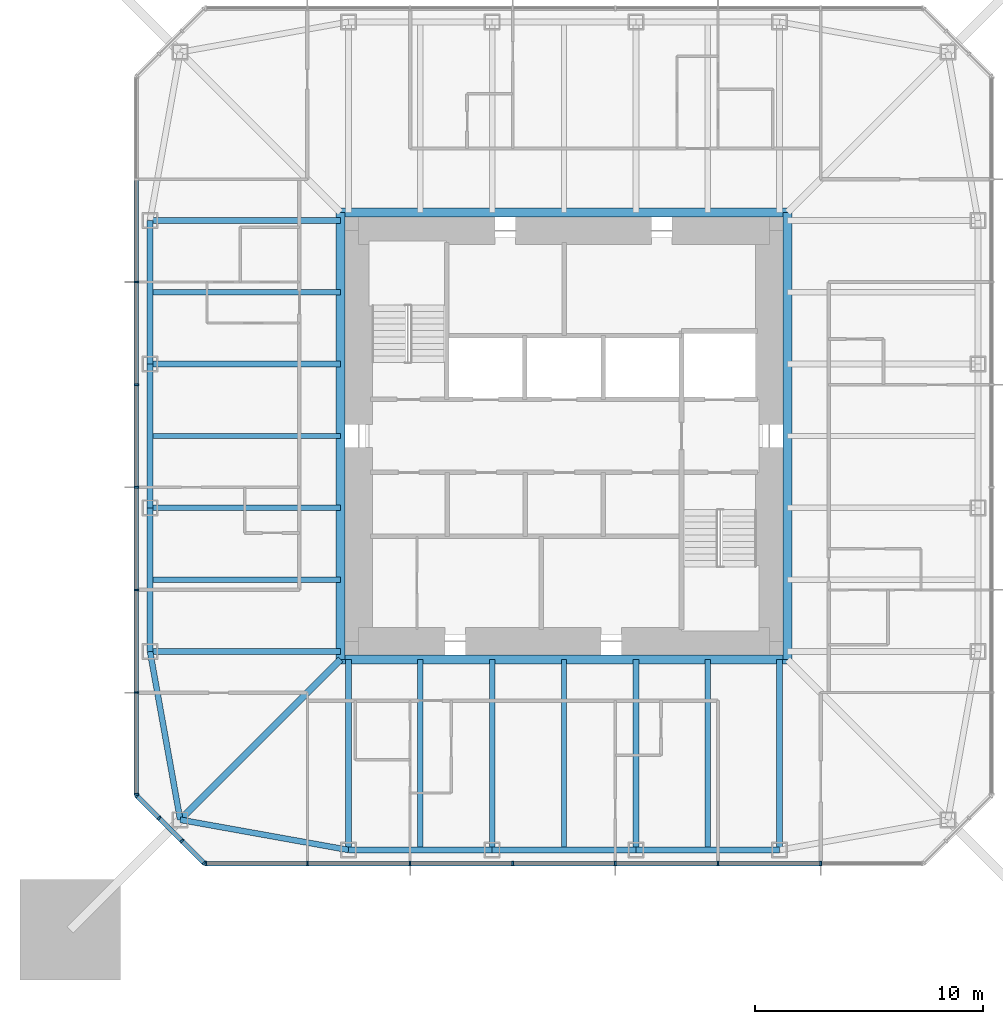
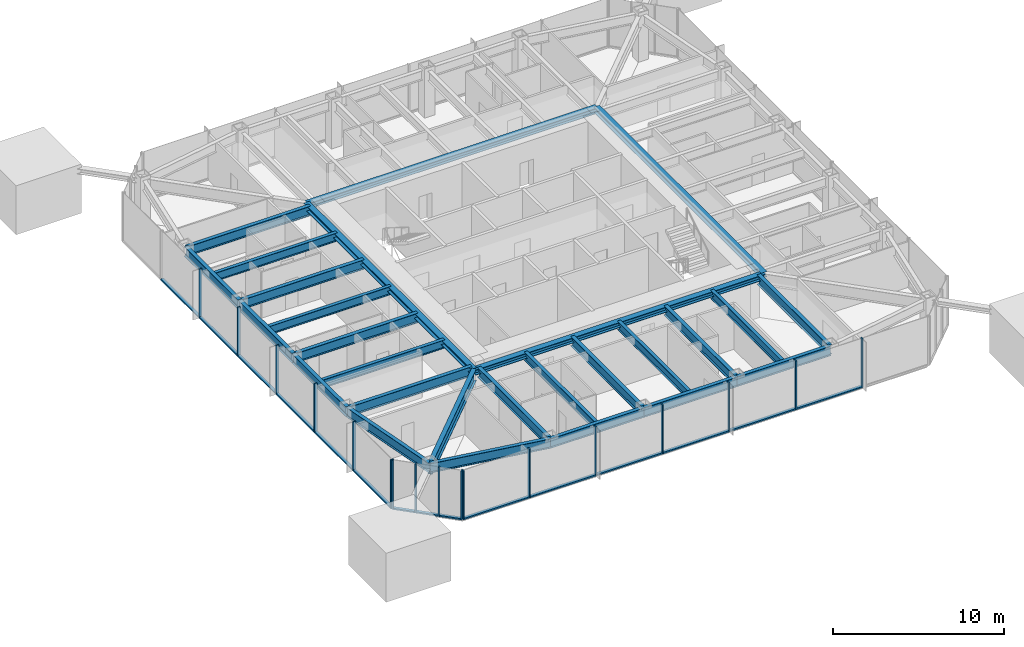
# One storey, part 2 of 11: 32 members, 27 beams, 3 elements without a shape of their own.
"""IFC4 building model written with IfcOpenShell, lengths in metres."""

from ifc_helpers import new_model, si_unit, direction, frame, origin, origin_2d, place, context, subcontext, project, spatial, rectangle, i_section, extrude, material, material_profile, profile_set, type_object, element, aggregate, save


model = new_model("IFC4")

# Units and contexts
model_context = context("Model", 3, precision=1e-05, world=origin(), true_north=direction((0.0, 1.0)))
body_context = subcontext(model_context, "Body", "Model", "MODEL_VIEW")
ifc_project = project(units=[si_unit("LENGTHUNIT", "METRE"), si_unit("AREAUNIT", "SQUARE_METRE"), si_unit("VOLUMEUNIT", "CUBIC_METRE"), si_unit("PLANEANGLEUNIT", "RADIAN"), si_unit("MASSUNIT", "GRAM", prefix="KILO")], contexts=[model_context])

# Site, building, storey
site_placement = place(None, origin())
site = spatial("IfcSite", under=ifc_project, at=site_placement, CompositionType="ELEMENT")
building_placement = place(site_placement, origin())
building = spatial("IfcBuilding", under=site, at=building_placement, Name="Iwan Alto Co-Living Towers", CompositionType="ELEMENT")
storey_placement = place(building_placement, frame((0.0, 0.0, 181.0)))
storey = spatial("IfcBuildingStorey", under=building, at=storey_placement, Name="L49", CompositionType="ELEMENT", Elevation=181.0)

# Curtain wall, members
ifc_material_1 = material(Name="Bronze aluminium unitised frame", Category="aluminium")
curtain_wall_type_1 = type_object("IfcCurtainWallType", Name="CURTAIN WALL CW-A", PredefinedType="NOTDEFINED", material=ifc_material_1)
curtain_wall_1_placement = place(storey_placement, origin())
curtain_wall_1 = element("IfcCurtainWall", 1, at=curtain_wall_1_placement, inside=storey, type_object=curtain_wall_type_1, Name="T1 curtain wall S L49", PredefinedType="NOTDEFINED")
ifc_material_2 = material(Name="Aluminium 6063-T6 bronze anodised", Category="aluminium")
ifc_material_profile_1 = material_profile(ifc_material_2, rectangle(XDim=0.199951171875, YDim=0.080078125, at=origin_2d()), Name="AL 80X200")
ifc_profile_set_1 = profile_set([ifc_material_profile_1], Name="Aluminium 6063-T6 bronze anodised")
member_type_1 = type_object("IfcMemberType", Name="CW-A MULLION 80X200", PredefinedType="MULLION", material=ifc_profile_set_1)
member_1_placement = place(storey_placement, frame((-15.7099609375, -18.75, 0.0), z_axis=(0.0, 0.0, 1.0), x_axis=(0.0, 1.0, 0.0)))
member_1 = element("IfcMember", 2, at=member_1_placement, type_object=member_type_1, Name="CW-A mullion 1", PredefinedType="MULLION", context=body_context, shape_type="SweptSolid", body=[
    extrude(rectangle(XDim=0.199951171875, YDim=0.080078125, at=origin_2d()), origin(), (0.0, 0.0, 1.0), 3.5),
])
member_2_placement = place(storey_placement, frame((-11.25, -18.75, 0.0), z_axis=(0.0, 0.0, 1.0), x_axis=(0.0, 1.0, 0.0)))
member_2 = element("IfcMember", 3, at=member_2_placement, type_object=member_type_1, Name="CW-A mullion 2", PredefinedType="MULLION", context=body_context, shape_type="SweptSolid", body=[
    extrude(rectangle(XDim=0.199951171875, YDim=0.080078125, at=origin_2d()), origin(), (0.0, 0.0, 1.0), 3.5),
])
member_3_placement = place(storey_placement, frame((-6.75, -18.75, 0.0), z_axis=(0.0, 0.0, 1.0), x_axis=(0.0, 1.0, 0.0)))
member_3 = element("IfcMember", 4, at=member_3_placement, type_object=member_type_1, Name="CW-A mullion 3", PredefinedType="MULLION", context=body_context, shape_type="SweptSolid", body=[
    extrude(rectangle(XDim=0.199951171875, YDim=0.080078125, at=origin_2d()), origin(), (0.0, 0.0, 1.0), 3.5),
])
member_4_placement = place(storey_placement, frame((-2.25, -18.75, 0.0), z_axis=(0.0, 0.0, 1.0), x_axis=(0.0, 1.0, 0.0)))
member_4 = element("IfcMember", 5, at=member_4_placement, type_object=member_type_1, Name="CW-A mullion 4", PredefinedType="MULLION", context=body_context, shape_type="SweptSolid", body=[
    extrude(rectangle(XDim=0.199951171875, YDim=0.080078125, at=origin_2d()), origin(), (0.0, 0.0, 1.0), 3.5),
])
member_5_placement = place(storey_placement, frame((2.25, -18.75, 0.0), z_axis=(0.0, 0.0, 1.0), x_axis=(0.0, 1.0, 0.0)))
member_5 = element("IfcMember", 6, at=member_5_placement, type_object=member_type_1, Name="CW-A mullion 5", PredefinedType="MULLION", context=body_context, shape_type="SweptSolid", body=[
    extrude(rectangle(XDim=0.199951171875, YDim=0.080078125, at=origin_2d()), origin(), (0.0, 0.0, 1.0), 3.5),
])
member_6_placement = place(storey_placement, frame((6.75, -18.75, 0.0), z_axis=(0.0, 0.0, 1.0), x_axis=(0.0, 1.0, 0.0)))
member_6 = element("IfcMember", 7, at=member_6_placement, type_object=member_type_1, Name="CW-A mullion 6", PredefinedType="MULLION", context=body_context, shape_type="SweptSolid", body=[
    extrude(rectangle(XDim=0.199951171875, YDim=0.080078125, at=origin_2d()), origin(), (0.0, 0.0, 1.0), 3.5),
])
member_7_placement = place(storey_placement, frame((11.25, -18.75, 0.0), z_axis=(0.0, 0.0, 1.0), x_axis=(0.0, 1.0, 0.0)))
member_7 = element("IfcMember", 8, at=member_7_placement, type_object=member_type_1, Name="CW-A mullion 7", PredefinedType="MULLION", context=body_context, shape_type="SweptSolid", body=[
    extrude(rectangle(XDim=0.199951171875, YDim=0.080078125, at=origin_2d()), origin(), (0.0, 0.0, 1.0), 3.5),
])

curtain_wall_2_placement = place(storey_placement, origin())
curtain_wall_2 = element("IfcCurtainWall", 9, at=curtain_wall_2_placement, inside=storey, type_object=curtain_wall_type_1, Name="T1 curtain wall W L49", PredefinedType="NOTDEFINED")
member_8_placement = place(storey_placement, frame((-18.75, 6.75, 0.0), z_axis=(0.0, 0.0, 1.0), x_axis=(1.0, 0.0, 0.0)))
member_8 = element("IfcMember", 10, at=member_8_placement, type_object=member_type_1, Name="CW-A mullion 3", PredefinedType="MULLION", context=body_context, shape_type="SweptSolid", body=[
    extrude(rectangle(XDim=0.199951171875, YDim=0.080078125, at=origin_2d()), origin(), (0.0, 0.0, 1.0), 3.5),
])
member_9_placement = place(storey_placement, frame((-18.75, 2.25, 0.0), z_axis=(0.0, 0.0, 1.0), x_axis=(1.0, 0.0, 0.0)))
member_9 = element("IfcMember", 11, at=member_9_placement, type_object=member_type_1, Name="CW-A mullion 4", PredefinedType="MULLION", context=body_context, shape_type="SweptSolid", body=[
    extrude(rectangle(XDim=0.199951171875, YDim=0.080078125, at=origin_2d()), origin(), (0.0, 0.0, 1.0), 3.5),
])
member_10_placement = place(storey_placement, frame((-18.75, -2.25, 0.0), z_axis=(0.0, 0.0, 1.0), x_axis=(1.0, 0.0, 0.0)))
member_10 = element("IfcMember", 12, at=member_10_placement, type_object=member_type_1, Name="CW-A mullion 5", PredefinedType="MULLION", context=body_context, shape_type="SweptSolid", body=[
    extrude(rectangle(XDim=0.199951171875, YDim=0.080078125, at=origin_2d()), origin(), (0.0, 0.0, 1.0), 3.5),
])
member_11_placement = place(storey_placement, frame((-18.75, -6.75, 0.0), z_axis=(0.0, 0.0, 1.0), x_axis=(1.0, 0.0, 0.0)))
member_11 = element("IfcMember", 13, at=member_11_placement, type_object=member_type_1, Name="CW-A mullion 6", PredefinedType="MULLION", context=body_context, shape_type="SweptSolid", body=[
    extrude(rectangle(XDim=0.199951171875, YDim=0.080078125, at=origin_2d()), origin(), (0.0, 0.0, 1.0), 3.5),
])
member_12_placement = place(storey_placement, frame((-18.75, -11.25, 0.0), z_axis=(0.0, 0.0, 1.0), x_axis=(1.0, 0.0, 0.0)))
member_12 = element("IfcMember", 14, at=member_12_placement, type_object=member_type_1, Name="CW-A mullion 7", PredefinedType="MULLION", context=body_context, shape_type="SweptSolid", body=[
    extrude(rectangle(XDim=0.199951171875, YDim=0.080078125, at=origin_2d()), origin(), (0.0, 0.0, 1.0), 3.5),
])
member_13_placement = place(storey_placement, frame((-18.75, -15.7099609375, 0.0), z_axis=(0.0, 0.0, 1.0), x_axis=(1.0, 0.0, 0.0)))
member_13 = element("IfcMember", 15, at=member_13_placement, type_object=member_type_1, Name="CW-A mullion 8", PredefinedType="MULLION", context=body_context, shape_type="SweptSolid", body=[
    extrude(rectangle(XDim=0.199951171875, YDim=0.080078125, at=origin_2d()), origin(), (0.0, 0.0, 1.0), 3.5),
])

# Member
ifc_material_3 = material(Name="Aluminium 6063-T6 bronze anodised", Category="aluminium")
ifc_material_profile_2 = material_profile(ifc_material_3, rectangle(XDim=0.199951171875, YDim=0.10009765625, at=origin_2d()), Name="AL 200X100")
ifc_profile_set_2 = profile_set([ifc_material_profile_2], Name="Aluminium 6063-T6 bronze anodised")
member_type_2 = type_object("IfcMemberType", Name="CW-A TRANSOM 200X100", PredefinedType="USERDEFINED", material=ifc_profile_set_2)
member_14_placement = place(storey_placement, frame((-15.669921875, -18.75, 0.050048828125), z_axis=(1.0, 0.0, 0.0), x_axis=(0.0, 1.0, 0.0)))
member_14 = element("IfcMember", 16, at=member_14_placement, type_object=member_type_2, Name="CW-A transom 1.1", ObjectType="TRANSOM", PredefinedType="USERDEFINED", context=body_context, shape_type="SweptSolid", body=[
    extrude(rectangle(XDim=0.199951171875, YDim=0.10009765625, at=origin_2d()), origin(), (0.0, 0.0, 1.0), 4.3798828125),
])

member_15_placement = place(storey_placement, frame((-11.2099609375, -18.75, 0.050048828125), z_axis=(1.0, 0.0, 0.0), x_axis=(0.0, 1.0, 0.0)))
member_15 = element("IfcMember", 17, at=member_15_placement, type_object=member_type_2, Name="CW-A transom 2.1", ObjectType="TRANSOM", PredefinedType="USERDEFINED", context=body_context, shape_type="SweptSolid", body=[
    extrude(rectangle(XDim=0.199951171875, YDim=0.10009765625, at=origin_2d()), origin(), (0.0, 0.0, 1.0), 4.419921875),
])

member_16_placement = place(storey_placement, frame((-6.7099609375, -18.75, 0.050048828125), z_axis=(1.0, 0.0, 0.0), x_axis=(0.0, 1.0, 0.0)))
member_16 = element("IfcMember", 18, at=member_16_placement, type_object=member_type_2, Name="CW-A transom 3.1", ObjectType="TRANSOM", PredefinedType="USERDEFINED", context=body_context, shape_type="SweptSolid", body=[
    extrude(rectangle(XDim=0.199951171875, YDim=0.10009765625, at=origin_2d()), origin(), (0.0, 0.0, 1.0), 4.419921875),
])

member_17_placement = place(storey_placement, frame((-2.2099609375, -18.75, 0.050048828125), z_axis=(1.0, 0.0, 0.0), x_axis=(0.0, 1.0, 0.0)))
member_17 = element("IfcMember", 19, at=member_17_placement, type_object=member_type_2, Name="CW-A transom 4.1", ObjectType="TRANSOM", PredefinedType="USERDEFINED", context=body_context, shape_type="SweptSolid", body=[
    extrude(rectangle(XDim=0.199951171875, YDim=0.10009765625, at=origin_2d()), origin(), (0.0, 0.0, 1.0), 4.419921875),
])

member_18_placement = place(storey_placement, frame((2.2900390625, -18.75, 0.050048828125), z_axis=(1.0, 0.0, 0.0), x_axis=(0.0, 1.0, 0.0)))
member_18 = element("IfcMember", 20, at=member_18_placement, type_object=member_type_2, Name="CW-A transom 5.1", ObjectType="TRANSOM", PredefinedType="USERDEFINED", context=body_context, shape_type="SweptSolid", body=[
    extrude(rectangle(XDim=0.199951171875, YDim=0.10009765625, at=origin_2d()), origin(), (0.0, 0.0, 1.0), 4.419921875),
])

member_19_placement = place(storey_placement, frame((6.7900390625, -18.75, 0.050048828125), z_axis=(1.0, 0.0, 0.0), x_axis=(0.0, 1.0, 0.0)))
member_19 = element("IfcMember", 21, at=member_19_placement, type_object=member_type_2, Name="CW-A transom 6.1", ObjectType="TRANSOM", PredefinedType="USERDEFINED", context=body_context, shape_type="SweptSolid", body=[
    extrude(rectangle(XDim=0.199951171875, YDim=0.10009765625, at=origin_2d()), origin(), (0.0, 0.0, 1.0), 4.419921875),
])

aggregate(curtain_wall_1, [member_1, member_2, member_3, member_4, member_5, member_6, member_7, member_14, member_15, member_16, member_17, member_18, member_19])

member_20_placement = place(storey_placement, frame((-18.75, 11.2099609375, 0.050048828125), z_axis=(0.0, -1.0, 0.0), x_axis=(1.0, 0.0, 0.0)))
member_20 = element("IfcMember", 22, at=member_20_placement, type_object=member_type_2, Name="CW-A transom 2.1", ObjectType="TRANSOM", PredefinedType="USERDEFINED", context=body_context, shape_type="SweptSolid", body=[
    extrude(rectangle(XDim=0.199951171875, YDim=0.10009765625, at=origin_2d()), origin(), (0.0, 0.0, 1.0), 4.419921875),
])

member_21_placement = place(storey_placement, frame((-18.75, 6.7099609375, 0.050048828125), z_axis=(0.0, -1.0, 0.0), x_axis=(1.0, 0.0, 0.0)))
member_21 = element("IfcMember", 23, at=member_21_placement, type_object=member_type_2, Name="CW-A transom 3.1", ObjectType="TRANSOM", PredefinedType="USERDEFINED", context=body_context, shape_type="SweptSolid", body=[
    extrude(rectangle(XDim=0.199951171875, YDim=0.10009765625, at=origin_2d()), origin(), (0.0, 0.0, 1.0), 4.419921875),
])

member_22_placement = place(storey_placement, frame((-18.75, 2.2099609375, 0.050048828125), z_axis=(0.0, -1.0, 0.0), x_axis=(1.0, 0.0, 0.0)))
member_22 = element("IfcMember", 24, at=member_22_placement, type_object=member_type_2, Name="CW-A transom 4.1", ObjectType="TRANSOM", PredefinedType="USERDEFINED", context=body_context, shape_type="SweptSolid", body=[
    extrude(rectangle(XDim=0.199951171875, YDim=0.10009765625, at=origin_2d()), origin(), (0.0, 0.0, 1.0), 4.419921875),
])

member_23_placement = place(storey_placement, frame((-18.75, -2.2900390625, 0.050048828125), z_axis=(0.0, -1.0, 0.0), x_axis=(1.0, 0.0, 0.0)))
member_23 = element("IfcMember", 25, at=member_23_placement, type_object=member_type_2, Name="CW-A transom 5.1", ObjectType="TRANSOM", PredefinedType="USERDEFINED", context=body_context, shape_type="SweptSolid", body=[
    extrude(rectangle(XDim=0.199951171875, YDim=0.10009765625, at=origin_2d()), origin(), (0.0, 0.0, 1.0), 4.419921875),
])

member_24_placement = place(storey_placement, frame((-18.75, -6.7900390625, 0.050048828125), z_axis=(0.0, -1.0, 0.0), x_axis=(1.0, 0.0, 0.0)))
member_24 = element("IfcMember", 26, at=member_24_placement, type_object=member_type_2, Name="CW-A transom 6.1", ObjectType="TRANSOM", PredefinedType="USERDEFINED", context=body_context, shape_type="SweptSolid", body=[
    extrude(rectangle(XDim=0.199951171875, YDim=0.10009765625, at=origin_2d()), origin(), (0.0, 0.0, 1.0), 4.419921875),
])

member_25_placement = place(storey_placement, frame((-18.75, -11.2900390625, 0.050048828125), z_axis=(0.0, -1.0, 0.0), x_axis=(1.0, 0.0, 0.0)))
member_25 = element("IfcMember", 27, at=member_25_placement, type_object=member_type_2, Name="CW-A transom 7.1", ObjectType="TRANSOM", PredefinedType="USERDEFINED", context=body_context, shape_type="SweptSolid", body=[
    extrude(rectangle(XDim=0.199951171875, YDim=0.10009765625, at=origin_2d()), origin(), (0.0, 0.0, 1.0), 4.3798828125),
])

aggregate(curtain_wall_2, [member_8, member_9, member_10, member_11, member_12, member_13, member_20, member_21, member_22, member_23, member_24, member_25])

# Curtain wall, members
ifc_material_4 = material(Name="Bronze aluminium unitised frame", Category="aluminium")
curtain_wall_type_2 = type_object("IfcCurtainWallType", Name="CURTAIN WALL CW-B", PredefinedType="NOTDEFINED", material=ifc_material_4)
curtain_wall_3_placement = place(storey_placement, origin())
curtain_wall_3 = element("IfcCurtainWall", 28, at=curtain_wall_3_placement, inside=storey, type_object=curtain_wall_type_2, Name="T1 chamfer curtain wall SW L49", PredefinedType="NOTDEFINED")
ifc_material_5 = material(Name="Aluminium 6063-T6 bronze anodised", Category="aluminium")
ifc_material_profile_3 = material_profile(ifc_material_5, rectangle(XDim=0.199951171875, YDim=0.080078125, at=origin_2d()), Name="AL 80X200")
ifc_profile_set_3 = profile_set([ifc_material_profile_3], Name="Aluminium 6063-T6 bronze anodised")
member_type_3 = type_object("IfcMemberType", Name="CW-B MULLION 80X200", PredefinedType="MULLION", material=ifc_profile_set_3)
member_26_placement = place(storey_placement, frame((-18.7216796875, -15.7783203125, 0.0), z_axis=(0.0, 0.0, 1.0), x_axis=(0.707106781187, 0.707106781187, 0.0)))
member_26 = element("IfcMember", 29, at=member_26_placement, type_object=member_type_3, Name="CW-B mullion 1", PredefinedType="MULLION", context=body_context, shape_type="SweptSolid", body=[
    extrude(rectangle(XDim=0.199951171875, YDim=0.080078125, at=origin_2d()), origin(), (0.0, 0.0, 1.0), 3.5),
])
member_27_placement = place(storey_placement, frame((-17.75, -16.75, 0.0), z_axis=(0.0, 0.0, 1.0), x_axis=(0.707106781187, 0.707106781187, 0.0)))
member_27 = element("IfcMember", 30, at=member_27_placement, type_object=member_type_3, Name="CW-B mullion 2", PredefinedType="MULLION", context=body_context, shape_type="SweptSolid", body=[
    extrude(rectangle(XDim=0.199951171875, YDim=0.080078125, at=origin_2d()), origin(), (0.0, 0.0, 1.0), 3.5),
])
member_28_placement = place(storey_placement, frame((-16.75, -17.75, 0.0), z_axis=(0.0, 0.0, 1.0), x_axis=(0.707106781187, 0.707106781187, 0.0)))
member_28 = element("IfcMember", 31, at=member_28_placement, type_object=member_type_3, Name="CW-B mullion 3", PredefinedType="MULLION", context=body_context, shape_type="SweptSolid", body=[
    extrude(rectangle(XDim=0.199951171875, YDim=0.080078125, at=origin_2d()), origin(), (0.0, 0.0, 1.0), 3.5),
])
member_29_placement = place(storey_placement, frame((-15.7783203125, -18.7216796875, 0.0), z_axis=(0.0, 0.0, 1.0), x_axis=(0.707106781187, 0.707106781187, 0.0)))
member_29 = element("IfcMember", 32, at=member_29_placement, type_object=member_type_3, Name="CW-B mullion 4", PredefinedType="MULLION", context=body_context, shape_type="SweptSolid", body=[
    extrude(rectangle(XDim=0.199951171875, YDim=0.080078125, at=origin_2d()), origin(), (0.0, 0.0, 1.0), 3.5),
])
ifc_material_6 = material(Name="Aluminium 6063-T6 bronze anodised", Category="aluminium")
ifc_material_profile_4 = material_profile(ifc_material_6, rectangle(XDim=0.199951171875, YDim=0.10009765625, at=origin_2d()), Name="AL 200X100")
ifc_profile_set_4 = profile_set([ifc_material_profile_4], Name="Aluminium 6063-T6 bronze anodised")
member_type_4 = type_object("IfcMemberType", Name="CW-B TRANSOM 200X100", PredefinedType="USERDEFINED", material=ifc_profile_set_4)
member_30_placement = place(storey_placement, frame((-18.693359375, -15.806640625, 0.050048828125), z_axis=(0.707106781187, -0.707106781187, 0.0), x_axis=(0.707106781187, 0.707106781187, 0.0)))
member_30 = element("IfcMember", 33, at=member_30_placement, type_object=member_type_4, Name="CW-B transom 1.1", ObjectType="TRANSOM", PredefinedType="USERDEFINED", context=body_context, shape_type="SweptSolid", body=[
    extrude(rectangle(XDim=0.199951171875, YDim=0.10009765625, at=origin_2d()), origin(), (0.0, 0.0, 1.0), 1.2939453125),
])
member_31_placement = place(storey_placement, frame((-17.7216796875, -16.7783203125, 0.050048828125), z_axis=(0.707106781187, -0.707106781187, 0.0), x_axis=(0.707106781187, 0.707106781187, 0.0)))
member_31 = element("IfcMember", 34, at=member_31_placement, type_object=member_type_4, Name="CW-B transom 2.1", ObjectType="TRANSOM", PredefinedType="USERDEFINED", context=body_context, shape_type="SweptSolid", body=[
    extrude(rectangle(XDim=0.199951171875, YDim=0.10009765625, at=origin_2d()), origin(), (0.0, 0.0, 1.0), 1.334228515625),
])
member_32_placement = place(storey_placement, frame((-16.7216796875, -17.7783203125, 0.050048828125), z_axis=(0.707106781187, -0.707106781187, 0.0), x_axis=(0.707106781187, 0.707106781187, 0.0)))
member_32 = element("IfcMember", 35, at=member_32_placement, type_object=member_type_4, Name="CW-B transom 3.1", ObjectType="TRANSOM", PredefinedType="USERDEFINED", context=body_context, shape_type="SweptSolid", body=[
    extrude(rectangle(XDim=0.199951171875, YDim=0.10009765625, at=origin_2d()), origin(), (0.0, 0.0, 1.0), 1.2939453125),
])
aggregate(curtain_wall_3, [member_26, member_27, member_28, member_29, member_30, member_31, member_32])

# Beams
ifc_material_7 = material(Name="Steel ASTM A992 Gr 50", Category="steel")
ifc_material_profile_5 = material_profile(ifc_material_7, i_section(OverallWidth=0.398681640625, OverallDepth=0.385986328125, WebThickness=0.02099609375, FlangeThickness=0.033203125, at=origin_2d()), Name="W14X176")
ifc_profile_set_5 = profile_set([ifc_material_profile_5], Name="Steel ASTM A992 Gr 50")
beam_type_1 = type_object("IfcBeamType", Name="T1 CORE LEDGER BEAM W14X176", PredefinedType="BEAM", material=ifc_profile_set_5)
for number, where, z_axis, x_axis, name in (
    (36, (-9.79931640625, -9.79931640625, 3.076904296875), (1.0, 0.0, 0.0), (0.0, 1.0, 0.0), "T1 core ledger beam S L50"),
    (37, (9.79931640625, -9.79931640625, 3.076904296875), (0.0, 1.0, 0.0), (-1.0, 0.0, 0.0), "T1 core ledger beam E L50"),
    (38, (9.79931640625, 9.79931640625, 3.076904296875), (-1.0, 0.0, 0.0), (0.0, -1.0, 0.0), "T1 core ledger beam N L50"),
    (39, (-9.79931640625, 9.79931640625, 3.076904296875), (0.0, -1.0, 0.0), (1.0, 0.0, 0.0), "T1 core ledger beam W L50"),
):
    element("IfcBeam", number, at=place(storey_placement, frame(where, z_axis=z_axis, x_axis=x_axis)), inside=storey, type_object=beam_type_1, Name=name, PredefinedType="BEAM", context=body_context, shape_type="SweptSolid", body=[
        extrude(i_section(OverallWidth=0.398681640625, OverallDepth=0.385986328125, WebThickness=0.02099609375, FlangeThickness=0.033203125, at=origin_2d()), origin(), (0.0, 0.0, 1.0), 19.5986328125),
    ])
ifc_material_8 = material(Name="Steel ASTM A992 Gr 50", Category="steel")
ifc_material_profile_6 = material_profile(ifc_material_8, i_section(OverallWidth=0.2919921875, OverallDepth=0.8408203125, WebThickness=0.0146484375, FlangeThickness=0.021728515625, at=origin_2d()), Name="W33X130")
ifc_profile_set_6 = profile_set([ifc_material_profile_6], Name="Steel ASTM A992 Gr 50")
beam_type_2 = type_object("IfcBeamType", Name="T1 CORNER GIRDER W33X130", PredefinedType="BEAM", material=ifc_profile_set_6)
beam_1_placement = place(storey_placement, frame((-16.82568359375, -16.82568359375, 2.849609375), z_axis=(0.707106781187, 0.707106781187, 0.0), x_axis=(-0.707106781187, 0.707106781187, 0.0)))
element("IfcBeam", 40, at=beam_1_placement, inside=storey, type_object=beam_type_2, Name="T1 corner girder CSW L50", PredefinedType="BEAM", context=body_context, shape_type="SweptSolid", body=[
    extrude(i_section(OverallWidth=0.2919921875, OverallDepth=0.8408203125, WebThickness=0.0146484375, FlangeThickness=0.021728515625, at=origin_2d()), origin(), (0.0, 0.0, 1.0), 9.936767578125),
])
ifc_material_9 = material(Name="Steel ASTM A992 Gr 50", Category="steel")
ifc_material_profile_7 = material_profile(ifc_material_9, i_section(OverallWidth=0.25390625, OverallDepth=0.683349609375, WebThickness=0.012451171875, FlangeThickness=0.018798828125, at=origin_2d()), Name="W27X94")
ifc_profile_set_7 = profile_set([ifc_material_profile_7], Name="Steel ASTM A992 Gr 50")
beam_type_3 = type_object("IfcBeamType", Name="T1 EDGE BEAM W27X94", PredefinedType="BEAM", material=ifc_profile_set_7)
beam_2_placement = place(storey_placement, frame((-16.82568359375, -16.82568359375, 2.928466796875), z_axis=(0.98426263553, -0.17671181143, 0.0), x_axis=(0.17671181143, 0.98426263553, 0.0)))
element("IfcBeam", 41, at=beam_2_placement, inside=storey, type_object=beam_type_3, Name="T1 edge beam CSW L50", PredefinedType="BEAM", context=body_context, shape_type="SweptSolid", body=[
    extrude(i_section(OverallWidth=0.25390625, OverallDepth=0.683349609375, WebThickness=0.012451171875, FlangeThickness=0.018798828125, at=origin_2d()), origin(), (0.0, 0.0, 1.0), 7.49365234375),
])
beam_3_placement = place(storey_placement, frame((-9.449951171875, -18.14990234375, 2.928466796875), z_axis=(1.0, 0.0, 0.0), x_axis=(0.0, 1.0, 0.0)))
element("IfcBeam", 42, at=beam_3_placement, inside=storey, type_object=beam_type_3, Name="T1 edge beam S1 L50", PredefinedType="BEAM", context=body_context, shape_type="SweptSolid", body=[
    extrude(i_section(OverallWidth=0.25390625, OverallDepth=0.683349609375, WebThickness=0.012451171875, FlangeThickness=0.018798828125, at=origin_2d()), origin(), (0.0, 0.0, 1.0), 6.300048828125),
])
beam_4_placement = place(storey_placement, frame((-3.14990234375, -18.14990234375, 2.928466796875), z_axis=(1.0, 0.0, 0.0), x_axis=(0.0, 1.0, 0.0)))
element("IfcBeam", 43, at=beam_4_placement, inside=storey, type_object=beam_type_3, Name="T1 edge beam S2 L50", PredefinedType="BEAM", context=body_context, shape_type="SweptSolid", body=[
    extrude(i_section(OverallWidth=0.25390625, OverallDepth=0.683349609375, WebThickness=0.012451171875, FlangeThickness=0.018798828125, at=origin_2d()), origin(), (0.0, 0.0, 1.0), 6.2998046875),
])
for number, where, z_axis, x_axis, name in (
    (44, (3.14990234375, -18.14990234375, 2.928466796875), (1.0, 0.0, 0.0), (0.0, 1.0, 0.0), "T1 edge beam S3 L50"),
    (45, (-18.14990234375, 9.449951171875, 2.928466796875), (0.0, -1.0, 0.0), (1.0, 0.0, 0.0), "T1 edge beam W1 L50"),
):
    element("IfcBeam", number, at=place(storey_placement, frame(where, z_axis=z_axis, x_axis=x_axis)), inside=storey, type_object=beam_type_3, Name=name, PredefinedType="BEAM", context=body_context, shape_type="SweptSolid", body=[
        extrude(i_section(OverallWidth=0.25390625, OverallDepth=0.683349609375, WebThickness=0.012451171875, FlangeThickness=0.018798828125, at=origin_2d()), origin(), (0.0, 0.0, 1.0), 6.300048828125),
    ])
beam_5_placement = place(storey_placement, frame((-18.14990234375, 3.14990234375, 2.928466796875), z_axis=(0.0, -1.0, 0.0), x_axis=(1.0, 0.0, 0.0)))
element("IfcBeam", 46, at=beam_5_placement, inside=storey, type_object=beam_type_3, Name="T1 edge beam W2 L50", PredefinedType="BEAM", context=body_context, shape_type="SweptSolid", body=[
    extrude(i_section(OverallWidth=0.25390625, OverallDepth=0.683349609375, WebThickness=0.012451171875, FlangeThickness=0.018798828125, at=origin_2d()), origin(), (0.0, 0.0, 1.0), 6.2998046875),
])
beam_6_placement = place(storey_placement, frame((-18.14990234375, -3.14990234375, 2.928466796875), z_axis=(0.0, -1.0, 0.0), x_axis=(1.0, 0.0, 0.0)))
element("IfcBeam", 47, at=beam_6_placement, inside=storey, type_object=beam_type_3, Name="T1 edge beam W3 L50", PredefinedType="BEAM", context=body_context, shape_type="SweptSolid", body=[
    extrude(i_section(OverallWidth=0.25390625, OverallDepth=0.683349609375, WebThickness=0.012451171875, FlangeThickness=0.018798828125, at=origin_2d()), origin(), (0.0, 0.0, 1.0), 6.300048828125),
])
beam_7_placement = place(storey_placement, frame((-18.14990234375, -9.449951171875, 2.928466796875), z_axis=(0.17671181143, -0.98426263553, 0.0), x_axis=(0.98426263553, 0.17671181143, 0.0)))
element("IfcBeam", 48, at=beam_7_placement, inside=storey, type_object=beam_type_3, Name="T1 edge beam W4 L50", PredefinedType="BEAM", context=body_context, shape_type="SweptSolid", body=[
    extrude(i_section(OverallWidth=0.25390625, OverallDepth=0.683349609375, WebThickness=0.012451171875, FlangeThickness=0.018798828125, at=origin_2d()), origin(), (0.0, 0.0, 1.0), 7.49365234375),
])
ifc_material_10 = material(Name="Steel ASTM A992 Gr 50", Category="steel")
ifc_material_profile_8 = material_profile(ifc_material_10, i_section(OverallWidth=0.25390625, OverallDepth=0.683349609375, WebThickness=0.012451171875, FlangeThickness=0.018798828125, at=origin_2d()), Name="W27X94")
ifc_profile_set_8 = profile_set([ifc_material_profile_8], Name="Steel ASTM A992 Gr 50")
beam_type_4 = type_object("IfcBeamType", Name="T1 RADIAL BEAM W27X94", PredefinedType="BEAM", material=ifc_profile_set_8)
for number, where, z_axis, x_axis, name in (
    (49, (-9.449951171875, -18.14990234375, 2.928466796875), (0.0, 1.0, 0.0), (-1.0, 0.0, 0.0), "T1 radial beam S1 L50"),
    (50, (-3.14990234375, -18.14990234375, 2.928466796875), (0.0, 1.0, 0.0), (-1.0, 0.0, 0.0), "T1 radial beam S2 L50"),
    (51, (3.14990234375, -18.14990234375, 2.928466796875), (0.0, 1.0, 0.0), (-1.0, 0.0, 0.0), "T1 radial beam S3 L50"),
    (52, (9.449951171875, -18.14990234375, 2.928466796875), (0.0, 1.0, 0.0), (-1.0, 0.0, 0.0), "T1 radial beam S4 L50"),
    (53, (-18.14990234375, 9.449951171875, 2.928466796875), (1.0, 0.0, 0.0), (0.0, 1.0, 0.0), "T1 radial beam W1 L50"),
    (54, (-18.14990234375, 3.14990234375, 2.928466796875), (1.0, 0.0, 0.0), (0.0, 1.0, 0.0), "T1 radial beam W2 L50"),
    (55, (-18.14990234375, -3.14990234375, 2.928466796875), (1.0, 0.0, 0.0), (0.0, 1.0, 0.0), "T1 radial beam W3 L50"),
    (56, (-18.14990234375, -9.449951171875, 2.928466796875), (1.0, 0.0, 0.0), (0.0, 1.0, 0.0), "T1 radial beam W4 L50"),
):
    element("IfcBeam", number, at=place(storey_placement, frame(where, z_axis=z_axis, x_axis=x_axis)), inside=storey, type_object=beam_type_4, Name=name, PredefinedType="BEAM", context=body_context, shape_type="SweptSolid", body=[
        extrude(i_section(OverallWidth=0.25390625, OverallDepth=0.683349609375, WebThickness=0.012451171875, FlangeThickness=0.018798828125, at=origin_2d()), origin(), (0.0, 0.0, 1.0), 8.3505859375),
    ])
ifc_material_11 = material(Name="Steel ASTM A992 Gr 50", Category="steel")
ifc_material_profile_9 = material_profile(ifc_material_11, i_section(OverallWidth=0.228271484375, OverallDepth=0.607177734375, WebThickness=0.01123046875, FlangeThickness=0.017333984375, at=origin_2d()), Name="W24X76")
ifc_profile_set_9 = profile_set([ifc_material_profile_9], Name="Steel ASTM A992 Gr 50")
beam_type_5 = type_object("IfcBeamType", Name="T1 SECONDARY BEAM W24X76", PredefinedType="JOIST", material=ifc_profile_set_9)
for number, where, z_axis, x_axis, name in (
    (57, (-6.300048828125, -18.14990234375, 2.966552734375), (0.0, 1.0, 0.0), (-1.0, 0.0, 0.0), "T1 secondary beam S1 L50"),
    (58, (0.0, -18.14990234375, 2.966552734375), (0.0, 1.0, 0.0), (-1.0, 0.0, 0.0), "T1 secondary beam S2 L50"),
    (59, (6.300048828125, -18.14990234375, 2.966552734375), (0.0, 1.0, 0.0), (-1.0, 0.0, 0.0), "T1 secondary beam S3 L50"),
    (60, (-18.14990234375, 6.300048828125, 2.966552734375), (1.0, 0.0, 0.0), (0.0, 1.0, 0.0), "T1 secondary beam W1 L50"),
    (61, (-18.14990234375, 0.0, 2.966552734375), (1.0, 0.0, 0.0), (0.0, 1.0, 0.0), "T1 secondary beam W2 L50"),
    (62, (-18.14990234375, -6.300048828125, 2.966552734375), (1.0, 0.0, 0.0), (0.0, 1.0, 0.0), "T1 secondary beam W3 L50"),
):
    element("IfcBeam", number, at=place(storey_placement, frame(where, z_axis=z_axis, x_axis=x_axis)), inside=storey, type_object=beam_type_5, Name=name, PredefinedType="JOIST", context=body_context, shape_type="SweptSolid", body=[
        extrude(i_section(OverallWidth=0.228271484375, OverallDepth=0.607177734375, WebThickness=0.01123046875, FlangeThickness=0.017333984375, at=origin_2d()), origin(), (0.0, 0.0, 1.0), 8.3505859375),
    ])

save(model, "model.ifc")
